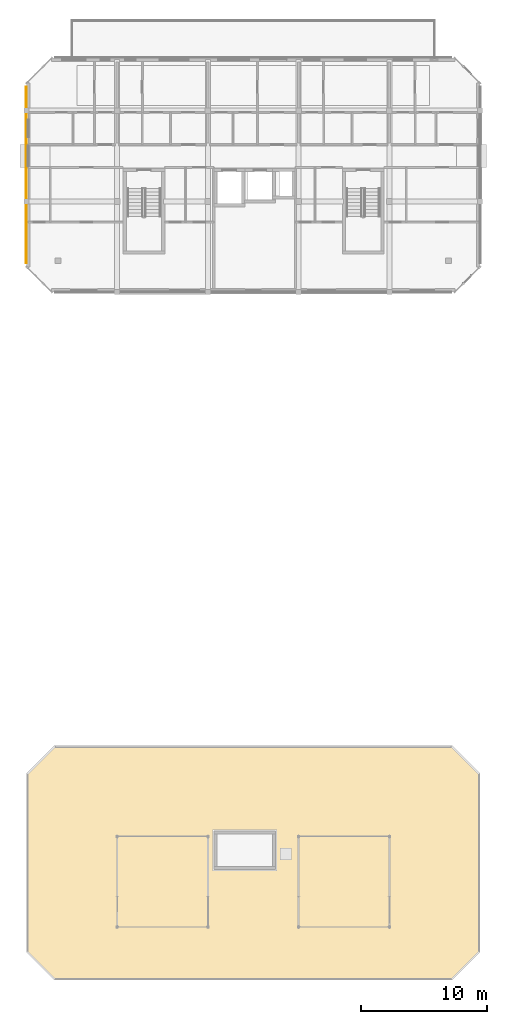
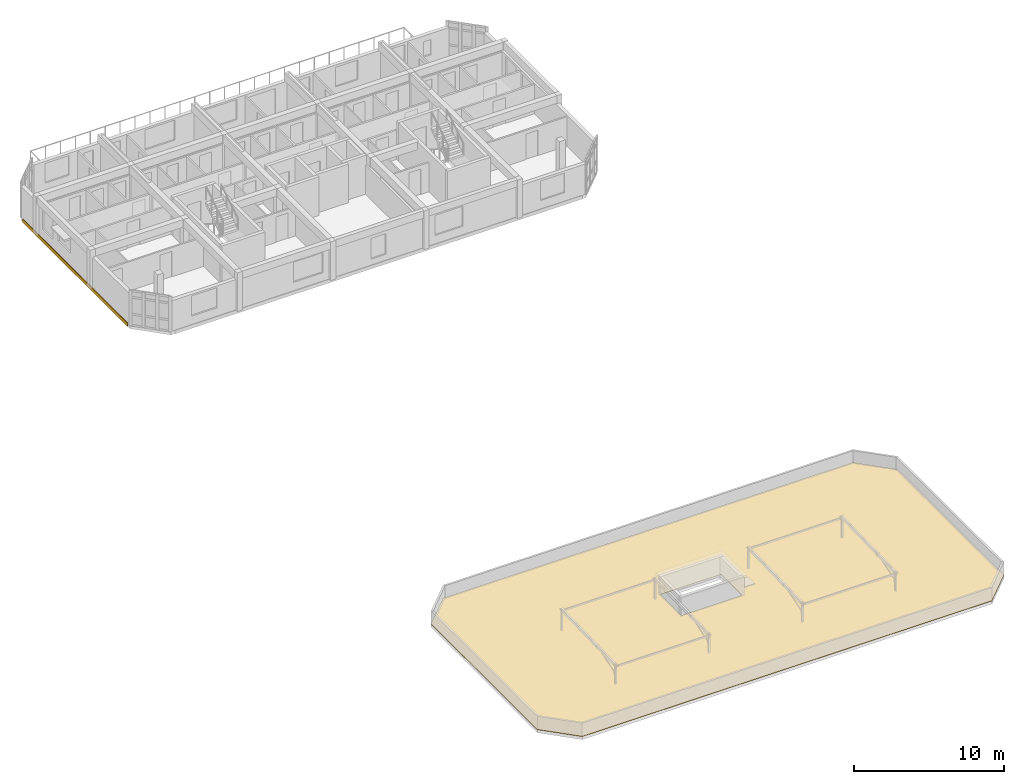
# One storey, part 14 of 16: 2 coverings.
"""IFC4 building model written with IfcOpenShell, lengths in metres."""

from ifc_helpers import new_model, si_unit, direction, frame, origin, origin_2d, place, context, subcontext, project, spatial, polyline, rectangle, outline, extrude, material, layer, layer_set, type_object, element, save


model = new_model("IFC4")

# Units and contexts
model_context = context("Model", 3, precision=1e-05, world=origin(), true_north=direction((0.0, 1.0)))
body_context = subcontext(model_context, "Body", "Model", "MODEL_VIEW")
ifc_project = project(units=[si_unit("LENGTHUNIT", "METRE"), si_unit("AREAUNIT", "SQUARE_METRE"), si_unit("VOLUMEUNIT", "CUBIC_METRE"), si_unit("PLANEANGLEUNIT", "RADIAN"), si_unit("MASSUNIT", "GRAM", prefix="KILO")], contexts=[model_context])

# Site, building, storey
site_placement = place(None, origin())
site = spatial("IfcSite", under=ifc_project, at=site_placement, CompositionType="ELEMENT")
building_placement = place(site_placement, origin())
building = spatial("IfcBuilding", under=site, at=building_placement, Name="Ochrevale Crest", CompositionType="ELEMENT")
storey_placement = place(building_placement, frame((0.0, 0.0, 46.5)))
storey = spatial("IfcBuildingStorey", under=building, at=storey_placement, Name="L14", CompositionType="ELEMENT", Elevation=46.5)

# Coverings
ifc_material_1 = material(Name="Glazed terracotta rainscreen tile", Category="masonry")
ifc_layer_1 = layer(ifc_material_1, 0.048095703125)
ifc_layer_set_1 = layer_set([ifc_layer_1], Name="Glazed terracotta rainscreen tile")
covering_type_1 = type_object("IfcCoveringType", Name="COV-CLAD-TER", PredefinedType="CLADDING", material=ifc_layer_set_1)
covering_1_placement = place(storey_placement, frame((129.58544921875, 81.300048828125, -0.26025390625), z_axis=(0.0, 0.0, 1.0), x_axis=(0.0, -1.0, 0.0)))
element("IfcCovering", 1, at=covering_1_placement, inside=storey, type_object=covering_type_1, Name="Block D L14 terracotta slab-edge spandrel cladding", PredefinedType="CLADDING", context=body_context, shape_type="SweptSolid", body=[
    extrude(rectangle(XDim=14.0, YDim=0.06005859375, at=origin_2d()), origin(), (0.0, 0.0, 1.0), 0.280029296875),
])
ifc_material_2 = material(Name="SBS polymer-modified bitumen waterproofing membrane", Category="bitumen")
ifc_layer_2 = layer(ifc_material_2, 0.034912109375)
ifc_layer_set_2 = layer_set([ifc_layer_2], Name="SBS polymer-modified bitumen waterproofing membrane")
covering_type_2 = type_object("IfcCoveringType", Name="COV-ROOF-MEM", PredefinedType="ROOFING", material=ifc_layer_set_2)
covering_2_placement = place(storey_placement, origin())
element("IfcCovering", 2, at=covering_2_placement, inside=storey, type_object=covering_type_2, Name="Block C SBS waterproofing roof membrane", PredefinedType="ROOFING", context=body_context, shape_type="SweptSolid", body=[
    extrude(outline(polyline([(131.800048828125, 17.39990234375), (163.39990234375, 17.39990234375), (165.60009765625, 19.60009765625), (165.60009765625, 33.800048828125), (163.39990234375, 36.0), (131.800048828125, 36.0), (129.60009765625, 33.800048828125), (129.60009765625, 19.60009765625), (131.800048828125, 17.39990234375)]), holes=[polyline([(144.60009765625, 26.300048828125), (149.25, 26.300048828125), (149.25, 29.10009765625), (144.60009765625, 29.10009765625), (144.60009765625, 26.300048828125)])]), origin(), (0.0, 0.0, 1.0), 0.034912109375),
])

save(model, "model.ifc")
